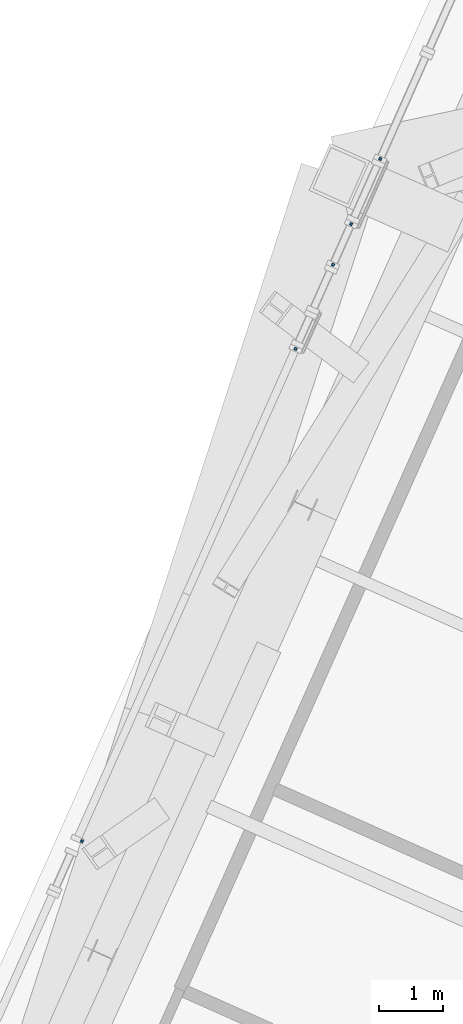
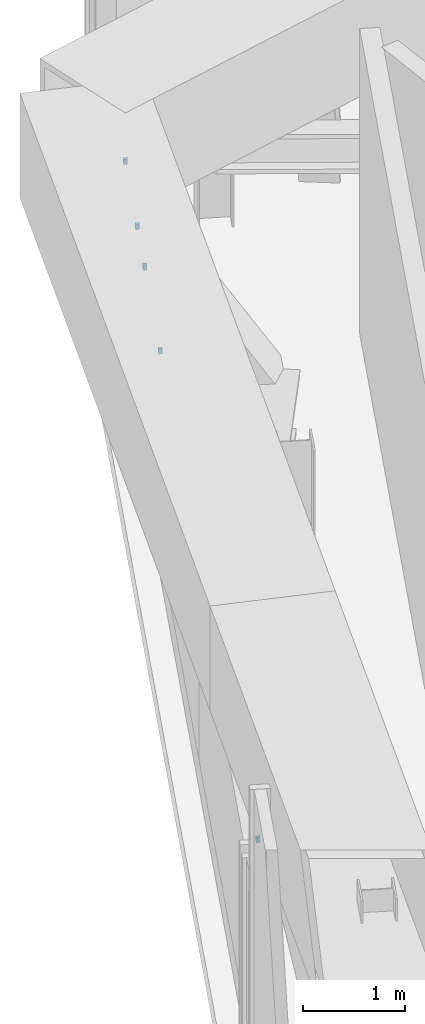
# One storey, part 20 of 23: 5 discrete accessories.
"""IFC4 building model written with IfcOpenShell, lengths in metres."""

from ifc_helpers import new_model, si_unit, direction, frame, origin, origin_2d, place, context, subcontext, project, spatial, rectangle, extrude, source, transform, mapped, material, element, save


model = new_model("IFC4")

# Units and contexts
model_context = context("Model", 3, precision=1e-05, world=origin(), true_north=direction((0.0, 1.0)))
body_context = subcontext(model_context, "Body", "Model", "MODEL_VIEW")
ifc_project = project(units=[si_unit("LENGTHUNIT", "METRE"), si_unit("AREAUNIT", "SQUARE_METRE"), si_unit("VOLUMEUNIT", "CUBIC_METRE"), si_unit("PLANEANGLEUNIT", "RADIAN"), si_unit("MASSUNIT", "GRAM", prefix="KILO")], contexts=[model_context])

# Site, building, storey
site_placement = place(None, origin())
site = spatial("IfcSite", under=ifc_project, at=site_placement, CompositionType="ELEMENT")
building_placement = place(site_placement, origin())
building = spatial("IfcBuilding", under=site, at=building_placement, Name="Triune Harvest Tower", CompositionType="ELEMENT")
storey_placement = place(building_placement, frame((0.0, 0.0, 255.699951171875)))
storey = spatial("IfcBuildingStorey", under=building, at=storey_placement, Name="L67", CompositionType="ELEMENT", Elevation=255.699951171875)

# Discrete accessories
ifc_material = material(Name="Steel ASTM A992 Gr 50", Category="steel")
shared_shape = source(origin(), body_context, "Body", "SweptSolid", [
    extrude(rectangle(XDim=0.0400390625, YDim=0.0400390625, at=origin_2d()), origin(), (0.0, 0.0, 1.0), 0.06005859375),
])
for number, where, z_axis, x_axis, name in (
    (1, (-9.817626953125, 27.12939453125, 2.330078125), (0.0, 0.0, 1.0), (-0.406735048638, -0.913546167531, 0.0), "Mullion end bracket B6-F3 L67.101 upper"),
    (2, (-10.271240234375, 26.11083984375, 2.330078125), (0.0, 0.0, 1.0), (-0.406714320828, -0.913555395821, 0.0), "Mullion end bracket B6-F3 L67.301 upper"),
    (3, (-10.553466796875, 25.476806640625, 2.330078125), (0.0, 0.0, 1.0), (-0.406714320828, -0.913555395821, 0.0), "Mullion end bracket B6-F3 L67.301 upper"),
    (4, (-11.138671875, 24.162841796875, 2.330078125), (0.0, 0.0, 1.0), (-0.406735048638, -0.913546167531, 0.0), "Mullion end bracket B6-F3 L67.601 upper"),
    (5, (-14.4716796875, 16.47998046875, 2.330078125), (0.0, 0.0, 1.0), (-0.406735048638, -0.913546167531, 0.0), "Mullion end bracket B6-F3 L67.601 upper"),
):
    element("IfcDiscreteAccessory", number, at=place(storey_placement, frame(where, z_axis=z_axis, x_axis=x_axis)), inside=storey, material=ifc_material, Name=name, ObjectType="BRACKET", PredefinedType="USERDEFINED", context=body_context, shape_type="MappedRepresentation", body=[
        mapped(shared_shape, transform((0.0, 0.0, 0.0), scale=1.0)),
    ])

save(model, "model.ifc")
